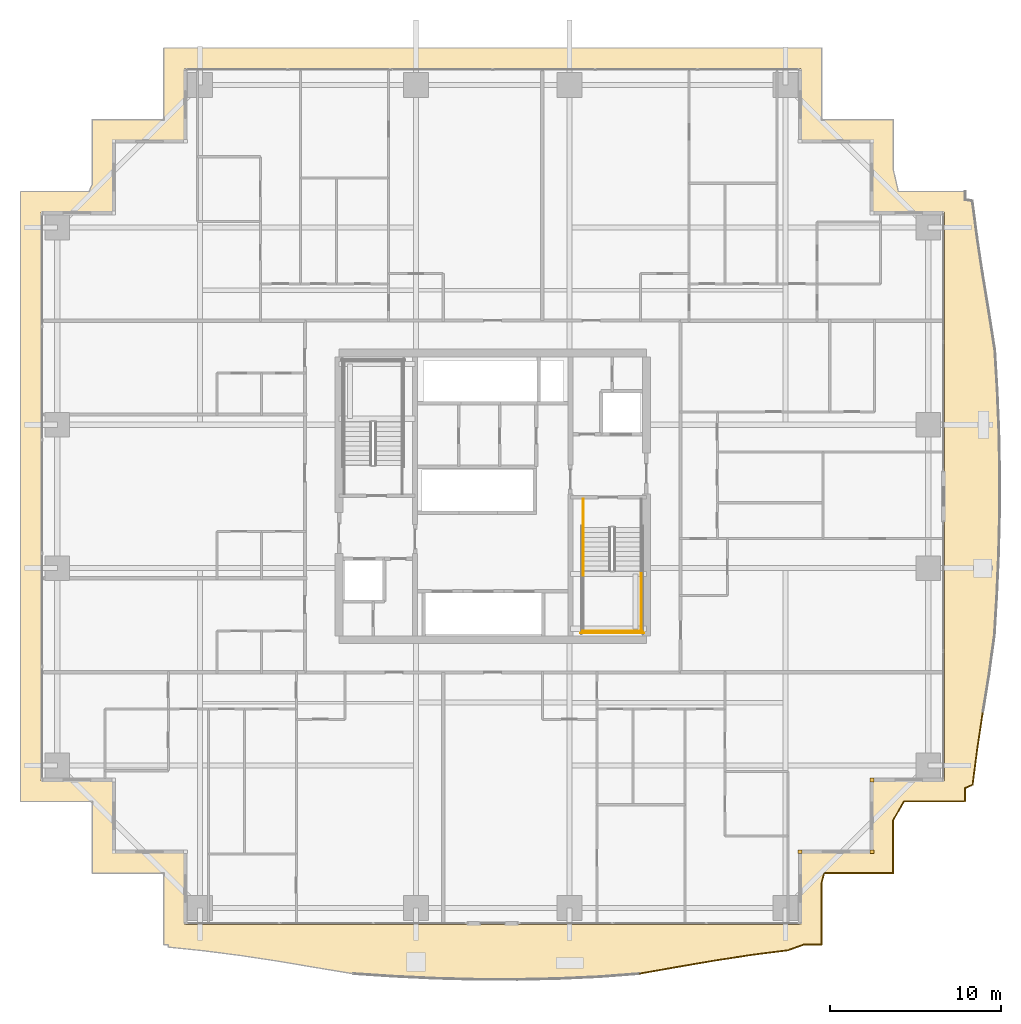
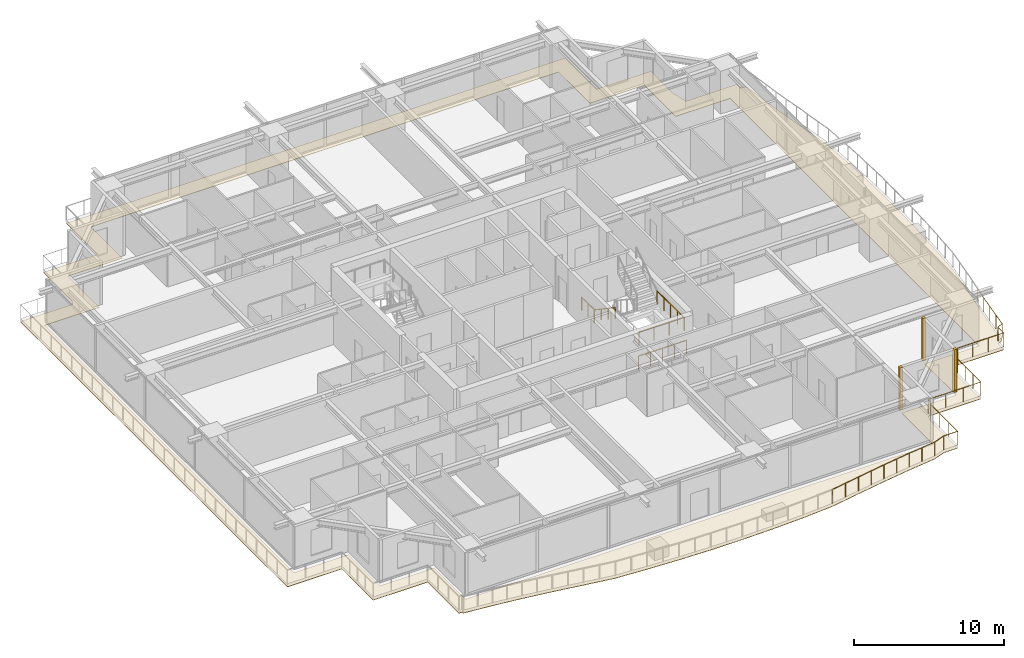
# One storey, part 36 of 39: 7 railings, 4 coverings.
"""IFC4 building model written with IfcOpenShell, lengths in metres."""

from ifc_helpers import new_model, si_unit, direction, frame, origin, origin_2d, place, context, subcontext, project, spatial, polyline, rectangle, circle, outline, extrude, source, transform, mapped, material, layer, layer_set, type_object, element, save


model = new_model("IFC4")

# Units and contexts
model_context = context("Model", 3, precision=1e-05, world=origin(), true_north=direction((0.0, 1.0)))
body_context = subcontext(model_context, "Body", "Model", "MODEL_VIEW")
ifc_project = project(units=[si_unit("LENGTHUNIT", "METRE"), si_unit("AREAUNIT", "SQUARE_METRE"), si_unit("VOLUMEUNIT", "CUBIC_METRE"), si_unit("PLANEANGLEUNIT", "RADIAN"), si_unit("MASSUNIT", "GRAM", prefix="KILO")], contexts=[model_context])

# Site, building, storey
site_placement = place(None, origin())
site = spatial("IfcSite", under=ifc_project, at=site_placement, CompositionType="ELEMENT")
building_placement = place(site_placement, origin())
building = spatial("IfcBuilding", under=site, at=building_placement, Name="Serunith Strait Residences", CompositionType="ELEMENT")
storey_placement = place(building_placement, frame((0.0, 0.0, 79.199951171875)))
storey = spatial("IfcBuildingStorey", under=building, at=storey_placement, Name="L19", CompositionType="ELEMENT", Elevation=79.199951171875)

# Covering
ifc_material_1 = material(Name="Golden Teak Exterior Timber Boarding", Category="wood")
ifc_layer_1 = layer(ifc_material_1, 0.034912109375, Name="Golden Teak Exterior Timber Boarding")
ifc_layer_set_1 = layer_set([ifc_layer_1], Name="Golden Teak Exterior Timber Boarding")
covering_type_1 = type_object("IfcCoveringType", Name="COV-TEAK-SOFFIT", PredefinedType="CEILING", material=ifc_layer_set_1)
covering_placement = place(storey_placement, frame((0.0, 0.0, -0.324951171875)))
element("IfcCovering", 1, at=covering_placement, inside=storey, type_object=covering_type_1, Name="L19 Golden-Teak Balcony Soffit Lining", PredefinedType="CEILING", context=body_context, shape_type="SweptSolid", body=[
    extrude(outline(polyline([(13.139892578125, 3.139892578125), (8.93994140625, 3.139892578125), (8.93994140625, 7.340087890625), (4.739990234375, 7.340087890625), (4.739990234375, 43.06005859375), (8.7587890625, 43.06005859375), (8.93994140625, 43.457763671875), (8.93994140625, 47.260009765625), (13.139892578125, 47.260009765625), (13.139892578125, 51.4599609375), (51.659912109375, 51.4599609375), (51.659912109375, 47.260009765625), (55.860107421875, 47.260009765625), (55.860107421875, 44.310302734375), (56.149169921875, 43.06005859375), (60.06005859375, 43.06005859375), (60.06005859375, 42.573486328125), (60.485595703125, 42.50537109375), (60.763916015625, 40.375732421875), (61.090087890625, 38.222900390625), (61.451904296875, 36.0302734375), (61.806396484375, 33.77685546875), (61.947021484375, 31.4208984375), (62.045166015625, 29.03662109375), (62.0927734375, 26.634033203125), (62.08642578125, 24.225341796875), (62.02783203125, 21.82373046875), (61.923095703125, 19.44091796875), (61.78125, 17.0849609375), (61.469970703125, 14.8125), (61.11181640625, 12.611328125), (60.787109375, 10.450927734375), (60.509033203125, 8.31494140625), (60.06005859375, 8.1083984375), (60.06005859375, 7.340087890625), (56.484130859375, 7.340087890625), (55.860107421875, 6.242431640625), (55.860107421875, 3.139892578125), (51.8154296875, 3.139892578125), (51.659912109375, 2.55126953125), (51.659912109375, -1.06005859375), (50.592041015625, -1.06005859375), (49.696533203125, -1.3828125), (47.572998046875, -1.655029296875), (45.4296875, -1.983154296875), (43.248291015625, -2.356689453125), (41.00830078125, -2.749267578125), (38.654052734375, -2.928955078125), (36.25927734375, -3.038330078125), (33.843017578125, -3.092041015625), (31.41943359375, -3.085693359375), (29.00390625, -3.021240234375), (26.610107421875, -2.906005859375), (24.247802734375, -2.7509765625), (21.993408203125, -2.379638671875), (19.80224609375, -2.00927734375), (17.65087890625, -1.681884765625), (15.521484375, -1.408203125), (13.400146484375, -1.188720703125), (13.401123046875, -1.06005859375), (13.139892578125, -1.06005859375), (13.139892578125, 3.139892578125)]), holes=[polyline([(50.455078125, 0.14501953125), (50.455078125, 4.344970703125), (54.655029296875, 4.344970703125), (54.655029296875, 8.544921875), (58.85498046875, 8.544921875), (58.85498046875, 41.85498046875), (54.655029296875, 41.85498046875), (54.655029296875, 46.054931640625), (50.455078125, 46.054931640625), (50.455078125, 50.2548828125), (14.344970703125, 50.2548828125), (14.344970703125, 46.054931640625), (10.14501953125, 46.054931640625), (10.14501953125, 41.85498046875), (5.945068359375, 41.85498046875), (5.945068359375, 8.544921875), (10.14501953125, 8.544921875), (10.14501953125, 4.344970703125), (14.344970703125, 4.344970703125), (14.344970703125, 0.14501953125), (50.455078125, 0.14501953125)])]), origin(), (0.0, 0.0, 1.0), 0.034912109375),
])

# Railings
ifc_material_2 = material(Name="Stainless Steel & Laminated Glass Balustrade", Category="steel")
railing_type_1 = type_object("IfcRailingType", Name="RLG-BALC-1150", PredefinedType="BALUSTRADE", material=ifc_material_2)
railing_1_placement = place(storey_placement, frame((61.11181640625, 12.611328125, -0.050048828125)))
element("IfcRailing", 2, at=railing_1_placement, inside=storey, type_object=railing_type_1, Name="L19 Swirling Balcony Perimeter Balustrade 5", PredefinedType="BALUSTRADE", context=body_context, shape_type="SweptSolid", body=[
    extrude(circle(Radius=0.02392578125, at=origin_2d()), frame((-0.000244140625, -0.001953125, 1.1259765625), z_axis=(-0.148630072609, -0.988892866551, 0.0), x_axis=(0.988892866551, -0.148630072609, 0.0)), (0.0, 0.0, 1.0), 2.1806640625),
    extrude(circle(Radius=0.02392578125, at=origin_2d()), frame((-0.324951171875, -2.162353515625, 1.1259765625), z_axis=(-0.129096905725, -0.991631982609, 0.0), x_axis=(0.991631982609, -0.129096905725, 0.0)), (0.0, 0.0, 1.0), 2.14990234375),
    extrude(circle(Radius=0.02392578125, at=origin_2d()), frame((-0.6044921875, -4.297119140625, 1.1259765625), z_axis=(-0.908479198967, -0.417930071955, 0.0), x_axis=(0.417930071955, -0.908479198967, 0.0)), (0.0, 0.0, 1.0), 0.490234375),
    extrude(circle(Radius=0.02392578125, at=origin_2d()), frame((-1.0517578125, -4.5048828125, 1.1259765625), z_axis=(0.0, -1.0, 0.0), x_axis=(1.0, 0.0, 0.0)), (0.0, 0.0, 1.0), 0.764404296875),
    extrude(circle(Radius=0.02392578125, at=origin_2d()), frame((-1.0537109375, -5.271240234375, 1.1259765625), z_axis=(-1.0, 0.0, 0.0), x_axis=(0.0, -1.0, 0.0)), (0.0, 0.0, 1.0), 3.572021484375),
    extrude(circle(Radius=0.02392578125, at=origin_2d()), frame((-4.628662109375, -5.27294921875, 1.1259765625), z_axis=(-0.494222003139, -0.869335730091, 0.0), x_axis=(0.869335730091, -0.494222003139, 0.0)), (0.0, 0.0, 1.0), 1.258544921875),
    extrude(circle(Radius=0.02392578125, at=origin_2d()), frame((-5.251708984375, -6.370849609375, 1.1259765625), z_axis=(0.0, -1.0, 0.0), x_axis=(1.0, 0.0, 0.0)), (0.0, 0.0, 1.0), 3.0986328125),
    extrude(circle(Radius=0.02392578125, at=origin_2d()), frame((-5.253662109375, -9.471435546875, 1.1259765625), z_axis=(-1.0, 0.0, 0.0), x_axis=(0.0, -1.0, 0.0)), (0.0, 0.0, 1.0), 4.040771484375),
    extrude(circle(Radius=0.02099609375, at=origin_2d()), origin(), (0.0, 0.0, 1.0), 1.099853515625),
    extrude(circle(Radius=0.02099609375, at=origin_2d()), frame((-0.162353515625, -1.080078125, 0.0)), (0.0, 0.0, 1.0), 1.099853515625),
    extrude(circle(Radius=0.02099609375, at=origin_2d()), frame((-0.32470703125, -2.160400390625, 0.0)), (0.0, 0.0, 1.0), 1.099853515625),
    extrude(circle(Radius=0.02099609375, at=origin_2d()), frame((-0.4638671875, -3.228515625, 0.0)), (0.0, 0.0, 1.0), 1.099853515625),
    extrude(circle(Radius=0.02099609375, at=origin_2d()), frame((-0.602783203125, -4.29638671875, 0.0)), (0.0, 0.0, 1.0), 1.099853515625),
    extrude(circle(Radius=0.02099609375, at=origin_2d()), frame((-1.0517578125, -4.5029296875, 0.0)), (0.0, 0.0, 1.0), 1.099853515625),
    extrude(circle(Radius=0.02099609375, at=origin_2d()), frame((-1.0517578125, -5.271240234375, 0.0)), (0.0, 0.0, 1.0), 1.099853515625),
    extrude(circle(Radius=0.02099609375, at=origin_2d()), frame((-2.24365234375, -5.271240234375, 0.0)), (0.0, 0.0, 1.0), 1.099853515625),
    extrude(circle(Radius=0.02099609375, at=origin_2d()), frame((-3.435791015625, -5.271240234375, 0.0)), (0.0, 0.0, 1.0), 1.099853515625),
    extrude(circle(Radius=0.02099609375, at=origin_2d()), frame((-4.627685546875, -5.271240234375, 0.0)), (0.0, 0.0, 1.0), 1.099853515625),
    extrude(circle(Radius=0.02099609375, at=origin_2d()), frame((-5.251708984375, -6.368896484375, 0.0)), (0.0, 0.0, 1.0), 1.099853515625),
    extrude(circle(Radius=0.02099609375, at=origin_2d()), frame((-5.251708984375, -7.403076171875, 0.0)), (0.0, 0.0, 1.0), 1.099853515625),
    extrude(circle(Radius=0.02099609375, at=origin_2d()), frame((-5.251708984375, -8.437255859375, 0.0)), (0.0, 0.0, 1.0), 1.099853515625),
    extrude(circle(Radius=0.02099609375, at=origin_2d()), frame((-5.251708984375, -9.471435546875, 0.0)), (0.0, 0.0, 1.0), 1.099853515625),
    extrude(circle(Radius=0.02099609375, at=origin_2d()), frame((-6.599853515625, -9.471435546875, 0.0)), (0.0, 0.0, 1.0), 1.099853515625),
    extrude(circle(Radius=0.02099609375, at=origin_2d()), frame((-7.9482421875, -9.471435546875, 0.0)), (0.0, 0.0, 1.0), 1.099853515625),
    extrude(circle(Radius=0.02099609375, at=origin_2d()), frame((-9.29638671875, -9.471435546875, 0.0)), (0.0, 0.0, 1.0), 1.099853515625),
])
railing_2_placement = place(storey_placement, frame((51.8154296875, 3.139892578125, -0.050048828125)))
element("IfcRailing", 3, at=railing_2_placement, inside=storey, type_object=railing_type_1, Name="L19 Swirling Balcony Perimeter Balustrade 6", PredefinedType="BALUSTRADE", context=body_context, shape_type="SweptSolid", body=[
    extrude(circle(Radius=0.02392578125, at=origin_2d()), frame((-0.00048828125, -0.001953125, 1.1259765625), z_axis=(-0.255440631026, -0.966824743178, 0.0), x_axis=(0.966824743178, -0.255440631026, 0.0)), (0.0, 0.0, 1.0), 0.604736328125),
    extrude(circle(Radius=0.02392578125, at=origin_2d()), frame((-0.155517578125, -0.590576171875, 1.1259765625), z_axis=(0.0, -1.0, 0.0), x_axis=(1.0, 0.0, 0.0)), (0.0, 0.0, 1.0), 3.607421875),
    extrude(circle(Radius=0.02392578125, at=origin_2d()), frame((-0.157470703125, -4.199951171875, 1.1259765625), z_axis=(-1.0, 0.0, 0.0), x_axis=(0.0, -1.0, 0.0)), (0.0, 0.0, 1.0), 1.06396484375),
    extrude(circle(Radius=0.02392578125, at=origin_2d()), frame((-1.225341796875, -4.20068359375, 1.1259765625), z_axis=(-0.940763105452, -0.339064565269, 0.0), x_axis=(0.339064565269, -0.940763105452, 0.0)), (0.0, 0.0, 1.0), 0.947998046875),
    extrude(circle(Radius=0.02392578125, at=origin_2d()), frame((-2.120849609375, -4.52294921875, 1.1259765625), z_axis=(-0.991883508628, -0.127149932412, 0.0), x_axis=(0.127149932412, -0.991883508628, 0.0)), (0.0, 0.0, 1.0), 2.136962890625),
    extrude(circle(Radius=0.02392578125, at=origin_2d()), frame((-4.244384765625, -4.795166015625, 1.1259765625), z_axis=(-0.988483375308, -0.151329497256, 0.0), x_axis=(0.151329497256, -0.988483375308, 0.0)), (0.0, 0.0, 1.0), 2.164306640625),
    extrude(circle(Radius=0.02392578125, at=origin_2d()), frame((-6.3876953125, -5.123291015625, 1.1259765625), z_axis=(-0.985653730924, -0.168780101658, 0.0), x_axis=(0.168780101658, -0.985653730924, 0.0)), (0.0, 0.0, 1.0), 2.209228515625),
    extrude(circle(Radius=0.02392578125, at=origin_2d()), frame((-8.569091796875, -5.496826171875, 1.1259765625), z_axis=(-0.984987142312, -0.172627719328, 0.0), x_axis=(0.172627719328, -0.984987142312, 0.0)), (0.0, 0.0, 1.0), 2.27001953125),
    extrude(circle(Radius=0.02099609375, at=origin_2d()), origin(), (0.0, 0.0, 1.0), 1.099853515625),
    extrude(circle(Radius=0.02099609375, at=origin_2d()), frame((-0.155517578125, -0.588623046875, 0.0)), (0.0, 0.0, 1.0), 1.099853515625),
    extrude(circle(Radius=0.02099609375, at=origin_2d()), frame((-0.155517578125, -1.79248046875, 0.0)), (0.0, 0.0, 1.0), 1.099853515625),
    extrude(circle(Radius=0.02099609375, at=origin_2d()), frame((-0.155517578125, -2.99609375, 0.0)), (0.0, 0.0, 1.0), 1.099853515625),
    extrude(circle(Radius=0.02099609375, at=origin_2d()), frame((-0.155517578125, -4.199951171875, 0.0)), (0.0, 0.0, 1.0), 1.099853515625),
    extrude(circle(Radius=0.02099609375, at=origin_2d()), frame((-1.223388671875, -4.199951171875, 0.0)), (0.0, 0.0, 1.0), 1.099853515625),
    extrude(circle(Radius=0.02099609375, at=origin_2d()), frame((-2.118896484375, -4.522705078125, 0.0)), (0.0, 0.0, 1.0), 1.099853515625),
    extrude(circle(Radius=0.02099609375, at=origin_2d()), frame((-3.1806640625, -4.65869140625, 0.0)), (0.0, 0.0, 1.0), 1.099853515625),
    extrude(circle(Radius=0.02099609375, at=origin_2d()), frame((-4.242431640625, -4.794921875, 0.0)), (0.0, 0.0, 1.0), 1.099853515625),
    extrude(circle(Radius=0.02099609375, at=origin_2d()), frame((-5.31396484375, -4.958984375, 0.0)), (0.0, 0.0, 1.0), 1.099853515625),
    extrude(circle(Radius=0.02099609375, at=origin_2d()), frame((-6.3857421875, -5.123046875, 0.0)), (0.0, 0.0, 1.0), 1.099853515625),
    extrude(circle(Radius=0.02099609375, at=origin_2d()), frame((-7.4765625, -5.309814453125, 0.0)), (0.0, 0.0, 1.0), 1.099853515625),
    extrude(circle(Radius=0.02099609375, at=origin_2d()), frame((-8.567138671875, -5.49658203125, 0.0)), (0.0, 0.0, 1.0), 1.099853515625),
    extrude(circle(Radius=0.02099609375, at=origin_2d()), frame((-9.68701171875, -5.69287109375, 0.0)), (0.0, 0.0, 1.0), 1.099853515625),
    extrude(circle(Radius=0.02099609375, at=origin_2d()), frame((-10.80712890625, -5.88916015625, 0.0)), (0.0, 0.0, 1.0), 1.099853515625),
])
ifc_material_3 = material(Name="Brushed stainless steel 316L", Category="steel")
railing_type_2 = type_object("IfcRailingType", Name="RLG-STAIR-GUARD", PredefinedType="BALUSTRADE", material=ifc_material_3)
railing_3_placement = place(storey_placement, frame((41.10009765625, 20.85009765625, 1.875)))
element("IfcRailing", 4, at=railing_3_placement, inside=storey, type_object=railing_type_2, Name="L19 ST-2 stair guard 4", PredefinedType="BALUSTRADE", context=body_context, shape_type="SweptSolid", body=[
    extrude(circle(Radius=0.02392578125, at=origin_2d()), frame((0.0, -0.001953125, 1.076171875), z_axis=(0.0, -1.0, 0.0), x_axis=(1.0, 0.0, 0.0)), (0.0, 0.0, 1.0), 3.59619140625),
    extrude(circle(Radius=0.02099609375, at=origin_2d()), origin(), (0.0, 0.0, 1.0), 1.050048828125),
    extrude(circle(Radius=0.02099609375, at=origin_2d()), frame((0.0, -0.89990234375, 0.0)), (0.0, 0.0, 1.0), 1.050048828125),
    extrude(circle(Radius=0.02099609375, at=origin_2d()), frame((0.0, -1.800048828125, 0.0)), (0.0, 0.0, 1.0), 1.050048828125),
    extrude(circle(Radius=0.02099609375, at=origin_2d()), frame((0.0, -2.7001953125, 0.0)), (0.0, 0.0, 1.0), 1.050048828125),
    extrude(circle(Radius=0.02099609375, at=origin_2d()), frame((0.0, -3.60009765625, 0.0)), (0.0, 0.0, 1.0), 1.050048828125),
])
railing_4_placement = place(storey_placement, frame((37.64990234375, 17.300048828125, 1.875)))
element("IfcRailing", 5, at=railing_4_placement, inside=storey, type_object=railing_type_2, Name="L19 ST-2 stair guard 5", PredefinedType="BALUSTRADE", context=body_context, shape_type="SweptSolid", body=[
    extrude(circle(Radius=0.02392578125, at=origin_2d()), frame((0.001953125, 0.0, 1.076171875), z_axis=(1.0, 0.0, 0.0), x_axis=(0.0, 1.0, 0.0)), (0.0, 0.0, 1.0), 3.49609375),
    extrude(circle(Radius=0.02099609375, at=origin_2d()), origin(), (0.0, 0.0, 1.0), 1.050048828125),
    extrude(circle(Radius=0.02099609375, at=origin_2d()), frame((1.166748046875, 0.0, 0.0)), (0.0, 0.0, 1.0), 1.050048828125),
    extrude(circle(Radius=0.02099609375, at=origin_2d()), frame((2.333251953125, 0.0, 0.0)), (0.0, 0.0, 1.0), 1.050048828125),
    extrude(circle(Radius=0.02099609375, at=origin_2d()), frame((3.5, 0.0, 0.0)), (0.0, 0.0, 1.0), 1.050048828125),
])
railing_5_placement = place(storey_placement, frame((37.699951171875, 25.050048828125, 0.0)))
element("IfcRailing", 6, at=railing_5_placement, inside=storey, type_object=railing_type_2, Name="L19 ST-2 stair guard 8", PredefinedType="BALUSTRADE", context=body_context, shape_type="SweptSolid", body=[
    extrude(circle(Radius=0.02392578125, at=origin_2d()), frame((0.0, -0.001953125, 1.076171875), z_axis=(0.0, -1.0, 0.0), x_axis=(1.0, 0.0, 0.0)), (0.0, 0.0, 1.0), 1.676025390625),
    extrude(circle(Radius=0.02099609375, at=origin_2d()), origin(), (0.0, 0.0, 1.0), 1.050048828125),
    extrude(circle(Radius=0.02099609375, at=origin_2d()), frame((0.0, -0.83984375, 0.0)), (0.0, 0.0, 1.0), 1.050048828125),
    extrude(circle(Radius=0.02099609375, at=origin_2d()), frame((0.0, -1.679931640625, 0.0)), (0.0, 0.0, 1.0), 1.050048828125),
])
railing_6_placement = place(storey_placement, frame((37.550048828125, 17.199951171875, 0.0)))
element("IfcRailing", 7, at=railing_6_placement, inside=storey, type_object=railing_type_2, Name="L19 ST-2 stair guard 12", PredefinedType="BALUSTRADE", context=body_context, shape_type="SweptSolid", body=[
    extrude(circle(Radius=0.02392578125, at=origin_2d()), frame((0.001953125, 0.0, 1.076171875), z_axis=(1.0, 0.0, 0.0), x_axis=(0.0, 1.0, 0.0)), (0.0, 0.0, 1.0), 3.696044921875),
    extrude(circle(Radius=0.02099609375, at=origin_2d()), origin(), (0.0, 0.0, 1.0), 1.050048828125),
    extrude(circle(Radius=0.02099609375, at=origin_2d()), frame((0.925048828125, 0.0, 0.0)), (0.0, 0.0, 1.0), 1.050048828125),
    extrude(circle(Radius=0.02099609375, at=origin_2d()), frame((1.85009765625, 0.0, 0.0)), (0.0, 0.0, 1.0), 1.050048828125),
    extrude(circle(Radius=0.02099609375, at=origin_2d()), frame((2.77490234375, 0.0, 0.0)), (0.0, 0.0, 1.0), 1.050048828125),
    extrude(circle(Radius=0.02099609375, at=origin_2d()), frame((3.699951171875, 0.0, 0.0)), (0.0, 0.0, 1.0), 1.050048828125),
])
railing_type_3 = type_object("IfcRailingType", Name="RLG-STAIR-HR", PredefinedType="HANDRAIL", material=ifc_material_3)
railing_7_placement = place(storey_placement, frame((37.699951171875, 23.3701171875, 0.1875)))
element("IfcRailing", 8, at=railing_7_placement, inside=storey, type_object=railing_type_3, Name="L19 ST-2 stair handrail 1", PredefinedType="HANDRAIL", context=body_context, shape_type="SweptSolid", body=[
    extrude(circle(Radius=0.02392578125, at=origin_2d()), frame((0.0, -0.001708984375, 0.876953125), z_axis=(0.0, -0.830208209119, 0.557453432594), x_axis=(1.0, 0.0, 0.0)), (0.0, 0.0, 1.0), 3.36865234375),
    extrude(circle(Radius=0.02099609375, at=origin_2d()), origin(), (0.0, 0.0, 1.0), 0.849853515625),
    extrude(circle(Radius=0.02099609375, at=origin_2d()), frame((0.0, -0.933349609375, 0.626708984375)), (0.0, 0.0, 1.0), 0.849853515625),
    extrude(circle(Radius=0.02099609375, at=origin_2d()), frame((0.0, -1.86669921875, 1.25341796875)), (0.0, 0.0, 1.0), 0.849853515625),
    extrude(circle(Radius=0.02099609375, at=origin_2d()), frame((0.0, -2.800048828125, 1.880126953125)), (0.0, 0.0, 1.0), 0.849853515625),
])

# Coverings
ifc_material_4 = material(Name="Pale-Champagne Anodised Aluminium", Category="aluminium")
ifc_layer_2 = layer(ifc_material_4, 0.219970703125, Name="Pale-Champagne Anodised Aluminium")
ifc_layer_set_2 = layer_set([ifc_layer_2], Name="Pale-Champagne Anodised Aluminium")
covering_type_2 = type_object("IfcCoveringType", Name="COV-CORN-TRIM", PredefinedType="CLADDING", material=ifc_layer_set_2)
shared_shape = source(origin(), body_context, "Body", "SweptSolid", [
    extrude(rectangle(XDim=0.221923828125, YDim=0.221923828125, at=origin_2d()), origin(), (0.0, 0.0, 1.0), 3.47509765625),
])
for number, where, z_axis, x_axis, name in (
    (9, (50.39990234375, 4.39990234375, 0.0), (0.0, 0.0, 1.0), (1.0, 0.0, 0.0), "L19 Girih Serrated Corner Trim Post 02"),
    (10, (54.60009765625, 4.39990234375, 0.0), (0.0, 0.0, 1.0), (1.0, 0.0, 0.0), "L19 Girih Serrated Corner Trim Post 03"),
    (11, (54.60009765625, 8.60009765625, 0.0), (0.0, 0.0, 1.0), (1.0, 0.0, 0.0), "L19 Girih Serrated Corner Trim Post 04"),
):
    element("IfcCovering", number, at=place(storey_placement, frame(where, z_axis=z_axis, x_axis=x_axis)), inside=storey, type_object=covering_type_2, Name=name, PredefinedType="CLADDING", context=body_context, shape_type="MappedRepresentation", body=[
        mapped(shared_shape, transform((0.0, 0.0, 0.0), scale=1.0)),
    ])

save(model, "model.ifc")
